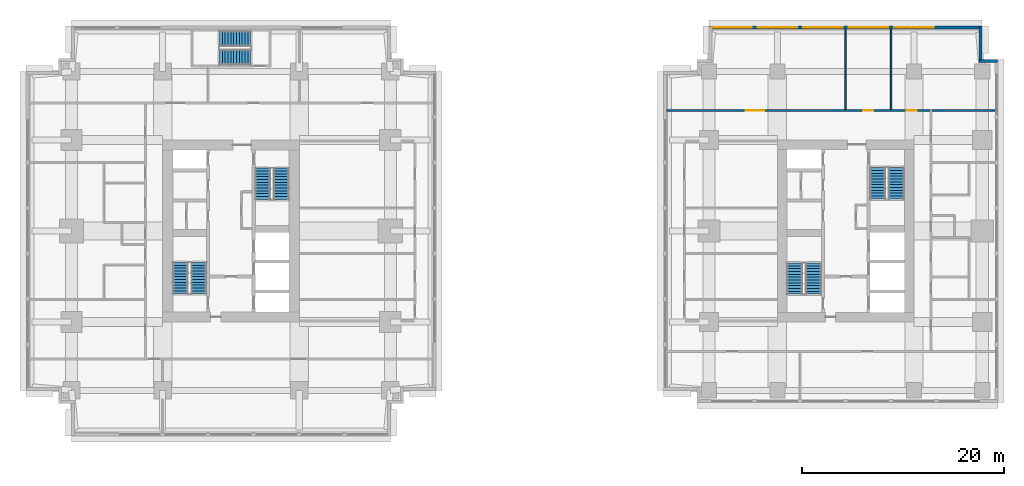
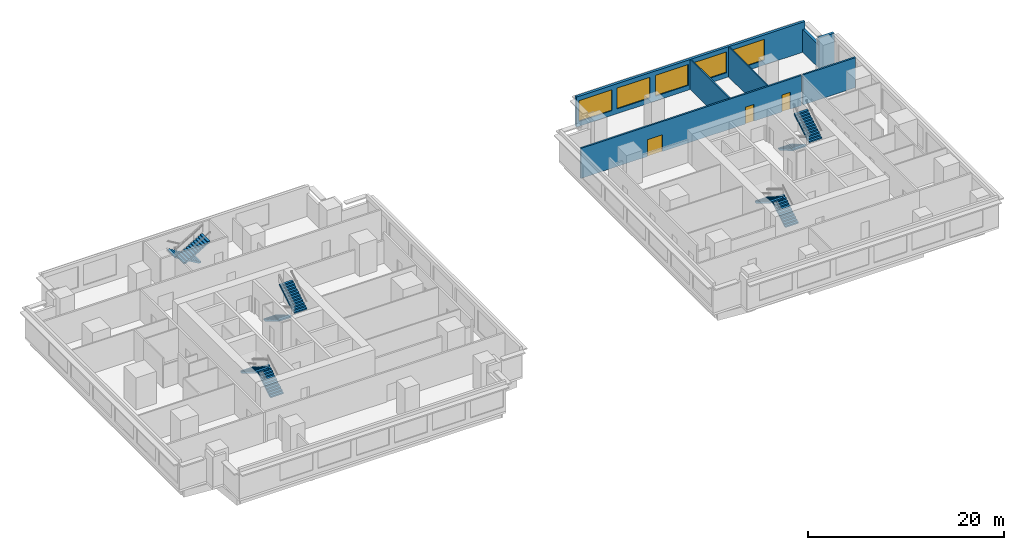
# One storey, part 8 of 10: 10 stair flights, 7 walls, 5 windows, 3 doors, 8 openings, 5 elements without a shape of their own.
"""IFC4 building model written with IfcOpenShell, lengths in metres."""

from ifc_helpers import new_model, si_unit, direction, frame, frame_2d, origin, place, context, subcontext, project, spatial, polyline, rectangle, outline, extrude, material, layer, layer_set, type_object, element, fill, aggregate, save


model = new_model("IFC4")

# Units and contexts
model_context = context("Model", 3, precision=1e-05, world=origin(), true_north=direction((0.0, 1.0)))
body_context = subcontext(model_context, "Body", "Model", "MODEL_VIEW")
ifc_project = project(units=[si_unit("LENGTHUNIT", "METRE"), si_unit("AREAUNIT", "SQUARE_METRE"), si_unit("VOLUMEUNIT", "CUBIC_METRE"), si_unit("PLANEANGLEUNIT", "RADIAN"), si_unit("MASSUNIT", "GRAM", prefix="KILO")], contexts=[model_context])

# Site, building, storey
site_placement = place(None, origin())
site = spatial("IfcSite", under=ifc_project, at=site_placement, CompositionType="ELEMENT")
building_placement = place(site_placement, origin())
building = spatial("IfcBuilding", under=site, at=building_placement, Name="Namib Vertical Campus", CompositionType="ELEMENT")
storey_placement = place(building_placement, frame((0.0, 0.0, 149.0)))
storey = spatial("IfcBuildingStorey", under=building, at=storey_placement, Name="L35", CompositionType="ELEMENT", Elevation=149.0)

# Wall, openings, doors
ifc_material_1 = material(Name="Concrete masonry", Category="masonry")
ifc_layer_1 = layer(ifc_material_1, 0.199951171875)
ifc_layer_set_1 = layer_set([ifc_layer_1], Name="Corridor wall 200")
wall_type_1 = type_object("IfcWallType", Name="Corridor wall 200", PredefinedType="SOLIDWALL", material=ifc_layer_set_1)
wall_1_placement = place(storey_placement, frame((89.35009765625, 32.14990234375, 0.0), z_axis=(0.0, 0.0, 1.0), x_axis=(-1.0, 0.0, 0.0)))
wall_1 = element("IfcWall", 1, at=wall_1_placement, inside=storey, type_object=wall_type_1, Name="Corridor wall B L35 CN", PredefinedType="SOLIDWALL", context=body_context, shape_type="SweptSolid", body=[
    extrude(rectangle(XDim=26.050048828125, YDim=0.199951171875, at=frame_2d((13.02490234375, 0.0))), origin(), (0.0, 0.0, 1.0), 3.75),
])
opening_1_placement = place(wall_1_placement, frame((16.39990234375, 0.0, 0.0)))
opening_1 = element("IfcOpeningElement", 2, at=opening_1_placement, cuts=wall_1, Name="Opening CD2", PredefinedType="OPENING", context=body_context, shape_type="SweptSolid", body=[
    extrude(rectangle(XDim=1.800048828125, YDim=2.10009765625, at=frame_2d((0.89990234375, 1.050048828125))), frame((0.0, 0.10986328125, 0.0), z_axis=(0.0, -1.0, 0.0), x_axis=(1.0, 0.0, 0.0)), (0.0, 0.0, 1.0), 0.219970703125),
])
opening_2_placement = place(wall_1_placement, frame((5.60009765625, 0.0, 0.0)))
opening_2 = element("IfcOpeningElement", 3, at=opening_2_placement, cuts=wall_1, Name="Opening CD1", PredefinedType="OPENING", context=body_context, shape_type="SweptSolid", body=[
    extrude(rectangle(XDim=1.0, YDim=2.10009765625, at=frame_2d((0.5, 1.050048828125))), frame((0.0, 0.10986328125, 0.0), z_axis=(0.0, -1.0, 0.0), x_axis=(1.0, 0.0, 0.0)), (0.0, 0.0, 1.0), 0.219970703125),
])
opening_3_placement = place(wall_1_placement, frame((1.324951171875, 0.0, 0.0)))
opening_3 = element("IfcOpeningElement", 4, at=opening_3_placement, cuts=wall_1, Name="Opening CD1", PredefinedType="OPENING", context=body_context, shape_type="SweptSolid", body=[
    extrude(rectangle(XDim=1.0, YDim=2.10009765625, at=frame_2d((0.5, 1.050048828125))), frame((0.0, 0.10986328125, 0.0), z_axis=(0.0, -1.0, 0.0), x_axis=(1.0, 0.0, 0.0)), (0.0, 0.0, 1.0), 0.219970703125),
])
ifc_material_2 = material(Name="Timber fire door leaf", Category="wood")
door_type_1 = type_object("IfcDoorType", Name="Corridor door 1000x2100 20 min", OperationType="SINGLE_SWING_LEFT", PredefinedType="DOOR", material=ifc_material_2)
door_1_placement = place(opening_2_placement, frame((1.0, 0.0, 0.0), z_axis=(0.0, 0.0, 1.0), x_axis=(-1.0, 0.0, 0.0)))
door_1 = element("IfcDoor", 5, at=door_1_placement, inside=storey, type_object=door_type_1, Name="Door CD1 B35-11", OperationType="SINGLE_SWING_RIGHT", OverallHeight=2.10009765625, OverallWidth=1.0, PredefinedType="DOOR", context=body_context, shape_type="SweptSolid", body=[
    extrude(rectangle(XDim=1.0, YDim=2.10009765625, at=frame_2d((0.5, 1.050048828125))), frame((0.0, 0.02490234375, 0.0), z_axis=(0.0, -1.0, 0.0), x_axis=(1.0, 0.0, 0.0)), (0.0, 0.0, 1.0), 0.050048828125),
])
fill(opening_2, door_1)
door_2_placement = place(opening_3_placement, frame((1.0, 0.0, 0.0), z_axis=(0.0, 0.0, 1.0), x_axis=(-1.0, 0.0, 0.0)))
door_2 = element("IfcDoor", 6, at=door_2_placement, inside=storey, type_object=door_type_1, Name="Door CD1 B35-12", OperationType="SINGLE_SWING_LEFT", OverallHeight=2.10009765625, OverallWidth=1.0, PredefinedType="DOOR", context=body_context, shape_type="SweptSolid", body=[
    extrude(rectangle(XDim=1.0, YDim=2.10009765625, at=frame_2d((0.5, 1.050048828125))), frame((0.0, 0.02490234375, 0.0), z_axis=(0.0, -1.0, 0.0), x_axis=(1.0, 0.0, 0.0)), (0.0, 0.0, 1.0), 0.050048828125),
])
fill(opening_3, door_2)
ifc_material_3 = material(Name="Timber fire door leaf", Category="wood")
door_type_2 = type_object("IfcDoorType", Name="Corridor door double 1800x2100 20 min", OperationType="DOUBLE_DOOR_SINGLE_SWING", PredefinedType="DOOR", material=ifc_material_3)
door_3_placement = place(opening_1_placement, frame((1.800048828125, 0.0, 0.0), z_axis=(0.0, 0.0, 1.0), x_axis=(-1.0, 0.0, 0.0)))
door_3 = element("IfcDoor", 7, at=door_3_placement, inside=storey, type_object=door_type_2, Name="Door CD2 B35-10", OperationType="DOUBLE_DOOR_SINGLE_SWING", OverallHeight=2.10009765625, OverallWidth=1.800048828125, PredefinedType="DOOR", context=body_context, shape_type="SweptSolid", body=[
    extrude(rectangle(XDim=1.800048828125, YDim=2.10009765625, at=frame_2d((0.89990234375, 1.050048828125))), frame((0.0, 0.02490234375, 0.0), z_axis=(0.0, -1.0, 0.0), x_axis=(1.0, 0.0, 0.0)), (0.0, 0.0, 1.0), 0.050048828125),
])
fill(opening_1, door_3)

# Walls
wall_2_placement = place(storey_placement, frame((89.550048828125, 32.14990234375, 0.0), z_axis=(0.0, 0.0, 1.0), x_axis=(1.0, 0.0, 0.0)))
element("IfcWall", 8, at=wall_2_placement, inside=storey, type_object=wall_type_1, Name="Partition B L35 BNE", PredefinedType="SOLIDWALL", context=body_context, shape_type="SweptSolid", body=[
    extrude(rectangle(XDim=6.199951171875, YDim=0.199951171875, at=frame_2d((3.10009765625, 0.0))), origin(), (0.0, 0.0, 1.0), 3.75),
])
ifc_material_4 = material(Name="Concrete C40/50", Category="concrete")
ifc_layer_2 = layer(ifc_material_4, 0.300048828125)
ifc_layer_set_2 = layer_set([ifc_layer_2], Name="Concrete C40/50")
wall_type_2 = type_object("IfcWallType", Name="External wall 300 board-marked concrete", PredefinedType="STANDARD", material=ifc_layer_set_2)
wall_3_placement = place(storey_placement, frame((96.030029296875, 37.050048828125, 0.0), z_axis=(0.0, 0.0, 1.0), x_axis=(-1.0, 0.0, 0.0)))
element("IfcWall", 9, at=wall_3_placement, inside=storey, type_object=wall_type_2, Name="External wall L35 F05", PredefinedType="STANDARD", context=body_context, shape_type="SweptSolid", body=[
    extrude(rectangle(XDim=1.81005859375, YDim=0.300048828125, at=frame_2d((0.905029296875, 0.0))), origin(), (0.0, 0.0, 1.0), 3.75),
])
wall_4_placement = place(storey_placement, frame((94.35009765625, 36.919921875, 0.0), z_axis=(0.0, 0.0, 1.0), x_axis=(0.0, 1.0, 0.0)))
element("IfcWall", 10, at=wall_4_placement, inside=storey, type_object=wall_type_2, Name="External wall L35 F06", PredefinedType="STANDARD", context=body_context, shape_type="SweptSolid", body=[
    extrude(rectangle(XDim=3.56005859375, YDim=0.300048828125, at=frame_2d((1.780029296875, 0.0))), origin(), (0.0, 0.0, 1.0), 2.85009765625),
])

# Wall, openings, windows
wall_5_placement = place(storey_placement, frame((94.47998046875, 40.35009765625, 0.0), z_axis=(0.0, 0.0, 1.0), x_axis=(-1.0, 0.0, 0.0)))
wall_5 = element("IfcWall", 11, at=wall_5_placement, inside=storey, type_object=wall_type_2, Name="External wall L35 F07", PredefinedType="STANDARD", context=body_context, shape_type="SweptSolid", body=[
    extrude(rectangle(XDim=26.9599609375, YDim=0.300048828125, at=frame_2d((13.47998046875, 0.0))), origin(), (0.0, 0.0, 1.0), 3.75),
])
opening_4_placement = place(wall_5_placement, frame((22.780029296875, 0.0, 0.60009765625)))
opening_4 = element("IfcOpeningElement", 12, at=opening_4_placement, cuts=wall_5, Name="Opening W2", PredefinedType="OPENING", context=body_context, shape_type="SweptSolid", body=[
    extrude(rectangle(XDim=3.89990234375, YDim=2.60009765625, at=frame_2d((1.949951171875, 1.300048828125))), frame((0.0, 0.159912109375, 0.0), z_axis=(0.0, -1.0, 0.0), x_axis=(1.0, 0.0, 0.0)), (0.0, 0.0, 1.0), 0.320068359375),
])
opening_5_placement = place(wall_5_placement, frame((18.280029296875, 0.0, 0.60009765625)))
opening_5 = element("IfcOpeningElement", 13, at=opening_5_placement, cuts=wall_5, Name="Opening W2", PredefinedType="OPENING", context=body_context, shape_type="SweptSolid", body=[
    extrude(rectangle(XDim=3.89990234375, YDim=2.60009765625, at=frame_2d((1.949951171875, 1.300048828125))), frame((0.0, 0.159912109375, 0.0), z_axis=(0.0, -1.0, 0.0), x_axis=(1.0, 0.0, 0.0)), (0.0, 0.0, 1.0), 0.320068359375),
])
opening_6_placement = place(wall_5_placement, frame((13.780029296875, 0.0, 0.60009765625)))
opening_6 = element("IfcOpeningElement", 14, at=opening_6_placement, cuts=wall_5, Name="Opening W2", PredefinedType="OPENING", context=body_context, shape_type="SweptSolid", body=[
    extrude(rectangle(XDim=3.89990234375, YDim=2.60009765625, at=frame_2d((1.949951171875, 1.300048828125))), frame((0.0, 0.159912109375, 0.0), z_axis=(0.0, -1.0, 0.0), x_axis=(1.0, 0.0, 0.0)), (0.0, 0.0, 1.0), 0.320068359375),
])
opening_7_placement = place(wall_5_placement, frame((9.280029296875, 0.0, 0.60009765625)))
opening_7 = element("IfcOpeningElement", 15, at=opening_7_placement, cuts=wall_5, Name="Opening W2", PredefinedType="OPENING", context=body_context, shape_type="SweptSolid", body=[
    extrude(rectangle(XDim=3.89990234375, YDim=2.60009765625, at=frame_2d((1.949951171875, 1.300048828125))), frame((0.0, 0.159912109375, 0.0), z_axis=(0.0, -1.0, 0.0), x_axis=(1.0, 0.0, 0.0)), (0.0, 0.0, 1.0), 0.320068359375),
])
opening_8_placement = place(wall_5_placement, frame((4.780029296875, 0.0, 0.60009765625)))
opening_8 = element("IfcOpeningElement", 16, at=opening_8_placement, cuts=wall_5, Name="Opening W2", PredefinedType="OPENING", context=body_context, shape_type="SweptSolid", body=[
    extrude(rectangle(XDim=3.89990234375, YDim=2.60009765625, at=frame_2d((1.949951171875, 1.300048828125))), frame((0.0, 0.159912109375, 0.0), z_axis=(0.0, -1.0, 0.0), x_axis=(1.0, 0.0, 0.0)), (0.0, 0.0, 1.0), 0.320068359375),
])
ifc_material_5 = material(Name="Dark tinted glass in black aluminium frame", Category="aluminium")
window_type = type_object("IfcWindowType", Name="Ribbon window 3900x2600", PartitioningType="SINGLE_PANEL", PredefinedType="WINDOW", material=ifc_material_5)
window_1_placement = place(opening_4_placement, origin())
window_1 = element("IfcWindow", 17, at=window_1_placement, inside=storey, type_object=window_type, Name="Window W2 L35 F07-1", OverallHeight=2.60009765625, OverallWidth=3.89990234375, PartitioningType="SINGLE_PANEL", PredefinedType="WINDOW", context=body_context, shape_type="SweptSolid", body=[
    extrude(rectangle(XDim=3.89990234375, YDim=2.60009765625, at=frame_2d((1.949951171875, 1.300048828125))), frame((0.0, 0.030029296875, 0.0), z_axis=(0.0, -1.0, 0.0), x_axis=(1.0, 0.0, 0.0)), (0.0, 0.0, 1.0), 0.06005859375),
])
fill(opening_4, window_1)
window_2_placement = place(opening_5_placement, origin())
window_2 = element("IfcWindow", 18, at=window_2_placement, inside=storey, type_object=window_type, Name="Window W2 L35 F07-2", OverallHeight=2.60009765625, OverallWidth=3.89990234375, PartitioningType="SINGLE_PANEL", PredefinedType="WINDOW", context=body_context, shape_type="SweptSolid", body=[
    extrude(rectangle(XDim=3.89990234375, YDim=2.60009765625, at=frame_2d((1.949951171875, 1.300048828125))), frame((0.0, 0.030029296875, 0.0), z_axis=(0.0, -1.0, 0.0), x_axis=(1.0, 0.0, 0.0)), (0.0, 0.0, 1.0), 0.06005859375),
])
fill(opening_5, window_2)
window_3_placement = place(opening_6_placement, origin())
window_3 = element("IfcWindow", 19, at=window_3_placement, inside=storey, type_object=window_type, Name="Window W2 L35 F07-3", OverallHeight=2.60009765625, OverallWidth=3.89990234375, PartitioningType="SINGLE_PANEL", PredefinedType="WINDOW", context=body_context, shape_type="SweptSolid", body=[
    extrude(rectangle(XDim=3.89990234375, YDim=2.60009765625, at=frame_2d((1.949951171875, 1.300048828125))), frame((0.0, 0.030029296875, 0.0), z_axis=(0.0, -1.0, 0.0), x_axis=(1.0, 0.0, 0.0)), (0.0, 0.0, 1.0), 0.06005859375),
])
fill(opening_6, window_3)
window_4_placement = place(opening_7_placement, origin())
window_4 = element("IfcWindow", 20, at=window_4_placement, inside=storey, type_object=window_type, Name="Window W2 L35 F07-4", OverallHeight=2.60009765625, OverallWidth=3.89990234375, PartitioningType="SINGLE_PANEL", PredefinedType="WINDOW", context=body_context, shape_type="SweptSolid", body=[
    extrude(rectangle(XDim=3.89990234375, YDim=2.60009765625, at=frame_2d((1.949951171875, 1.300048828125))), frame((0.0, 0.030029296875, 0.0), z_axis=(0.0, -1.0, 0.0), x_axis=(1.0, 0.0, 0.0)), (0.0, 0.0, 1.0), 0.06005859375),
])
fill(opening_7, window_4)
window_5_placement = place(opening_8_placement, origin())
window_5 = element("IfcWindow", 21, at=window_5_placement, inside=storey, type_object=window_type, Name="Window W2 L35 F07-5", OverallHeight=2.60009765625, OverallWidth=3.89990234375, PartitioningType="SINGLE_PANEL", PredefinedType="WINDOW", context=body_context, shape_type="SweptSolid", body=[
    extrude(rectangle(XDim=3.89990234375, YDim=2.60009765625, at=frame_2d((1.949951171875, 1.300048828125))), frame((0.0, 0.030029296875, 0.0), z_axis=(0.0, -1.0, 0.0), x_axis=(1.0, 0.0, 0.0)), (0.0, 0.0, 1.0), 0.06005859375),
])
fill(opening_8, window_5)

# Walls
ifc_material_6 = material(Name="Gypsum board on steel studs", Category="steel")
ifc_layer_3 = layer(ifc_material_6, 0.14990234375)
ifc_layer_set_3 = layer_set([ifc_layer_3], Name="Gypsum board on steel studs")
wall_type_3 = type_object("IfcWallType", Name="Partition 150", PredefinedType="PARTITIONING", material=ifc_layer_set_3)
for number, where, z_axis, x_axis, name in (
    (22, (81.0, 32.25, 0.0), (0.0, 0.0, 1.0), (0.0, 1.0, 0.0), "Partition B L35 PN1"),
    (23, (85.5, 32.25, 0.0), (0.0, 0.0, 1.0), (0.0, 1.0, 0.0), "Partition B L35 PN2"),
):
    element("IfcWall", number, at=place(storey_placement, frame(where, z_axis=z_axis, x_axis=x_axis)), inside=storey, type_object=wall_type_3, Name=name, PredefinedType="PARTITIONING", context=body_context, shape_type="SweptSolid", body=[
        extrude(rectangle(XDim=7.949951171875, YDim=0.14990234375, at=frame_2d((3.97509765625, 0.0))), origin(), (0.0, 0.0, 1.0), 3.75),
    ])

# Stair, stair flights
ifc_material_7 = material(Name="Concrete C40/50 precast", Category="concrete")
stair_type_1 = type_object("IfcStairType", Name="Exit stair 4000 rise 24 risers 3350 wide", PredefinedType="HALF_TURN_STAIR", material=ifc_material_7)
stair_1_placement = place(storey_placement, origin())
stair_1 = element("IfcStair", 24, at=stair_1_placement, inside=storey, type_object=stair_type_1, Name="Exit stair A-S1 L35", PredefinedType="HALF_TURN_STAIR")
ifc_material_8 = material(Name="Concrete C40/50 precast", Category="concrete")
stair_flight_type_1 = type_object("IfcStairFlightType", Name="Stair flight 12 risers 167 1525 wide", PredefinedType="STRAIGHT", material=ifc_material_8)
stair_flight_1_placement = place(storey_placement, frame((17.08740234375, 14.050048828125, 0.0), z_axis=(0.0, 0.0, 1.0), x_axis=(0.0, 1.0, 0.0)))
stair_flight_1 = element("IfcStairFlight", 25, at=stair_flight_1_placement, type_object=stair_flight_type_1, Name="A-S1 flight 1", NumberOfRisers=12, NumberOfTreads=11, PredefinedType="STRAIGHT", RiserHeight=0.166666667, TreadLength=0.28, context=body_context, shape_type="SweptSolid", body=[
    extrude(outline(polyline([(0.0, 0.0), (0.0, 0.166748046875), (0.280029296875, 0.166748046875), (0.280029296875, 0.333251953125), (0.56005859375, 0.333251953125), (0.56005859375, 0.5), (0.840087890625, 0.5), (0.840087890625, 0.666748046875), (1.1201171875, 0.666748046875), (1.1201171875, 0.833251953125), (1.39990234375, 0.833251953125), (1.39990234375, 1.0), (1.679931640625, 1.0), (1.679931640625, 1.166748046875), (1.9599609375, 1.166748046875), (1.9599609375, 1.333251953125), (2.239990234375, 1.333251953125), (2.239990234375, 1.5), (2.52001953125, 1.5), (2.52001953125, 1.666748046875), (2.800048828125, 1.666748046875), (2.800048828125, 1.833251953125), (3.080078125, 1.833251953125), (3.080078125, 2.0), (3.080078125, 1.658935546875), (0.29296875, 0.0), (0.0, 0.0)])), frame((0.0, 0.762451171875, 0.0), z_axis=(0.0, -1.0, 0.0), x_axis=(1.0, 0.0, 0.0)), (0.0, 0.0, 1.0), 1.52490234375),
])
stair_flight_2_placement = place(storey_placement, frame((15.262451171875, 17.1298828125, 2.0), z_axis=(0.0, 0.0, 1.0), x_axis=(0.0, -1.0, 0.0)))
stair_flight_2 = element("IfcStairFlight", 26, at=stair_flight_2_placement, type_object=stair_flight_type_1, Name="A-S1 flight 2", NumberOfRisers=12, NumberOfTreads=11, PredefinedType="STRAIGHT", RiserHeight=0.166666667, TreadLength=0.28, context=body_context, shape_type="SweptSolid", body=[
    extrude(outline(polyline([(0.0, 0.0), (0.0, 0.166748046875), (0.280029296875, 0.166748046875), (0.280029296875, 0.333251953125), (0.56005859375, 0.333251953125), (0.56005859375, 0.5), (0.840087890625, 0.5), (0.840087890625, 0.666748046875), (1.1201171875, 0.666748046875), (1.1201171875, 0.833251953125), (1.39990234375, 0.833251953125), (1.39990234375, 1.0), (1.679931640625, 1.0), (1.679931640625, 1.166748046875), (1.9599609375, 1.166748046875), (1.9599609375, 1.333251953125), (2.239990234375, 1.333251953125), (2.239990234375, 1.5), (2.52001953125, 1.5), (2.52001953125, 1.666748046875), (2.800048828125, 1.666748046875), (2.800048828125, 1.833251953125), (3.080078125, 1.833251953125), (3.080078125, 2.0), (3.080078125, 1.658935546875), (0.29296875, 0.0), (0.0, 0.0)])), frame((0.0, 0.762451171875, 0.0), z_axis=(0.0, -1.0, 0.0), x_axis=(1.0, 0.0, 0.0)), (0.0, 0.0, 1.0), 1.52490234375),
])
aggregate(stair_1, [stair_flight_1, stair_flight_2])

stair_2_placement = place(storey_placement, origin())
stair_2 = element("IfcStair", 27, at=stair_2_placement, inside=storey, type_object=stair_type_1, Name="Exit stair A-S2 L35", PredefinedType="HALF_TURN_STAIR")
stair_flight_3_placement = place(storey_placement, frame((23.41259765625, 26.449951171875, 0.0), z_axis=(0.0, 0.0, 1.0), x_axis=(0.0, -1.0, 0.0)))
stair_flight_3 = element("IfcStairFlight", 28, at=stair_flight_3_placement, type_object=stair_flight_type_1, Name="A-S2 flight 1", NumberOfRisers=12, NumberOfTreads=11, PredefinedType="STRAIGHT", RiserHeight=0.166666667, TreadLength=0.28, context=body_context, shape_type="SweptSolid", body=[
    extrude(outline(polyline([(0.0, 0.0), (0.0, 0.166748046875), (0.280029296875, 0.166748046875), (0.280029296875, 0.333251953125), (0.56005859375, 0.333251953125), (0.56005859375, 0.5), (0.840087890625, 0.5), (0.840087890625, 0.666748046875), (1.1201171875, 0.666748046875), (1.1201171875, 0.833251953125), (1.39990234375, 0.833251953125), (1.39990234375, 1.0), (1.679931640625, 1.0), (1.679931640625, 1.166748046875), (1.9599609375, 1.166748046875), (1.9599609375, 1.333251953125), (2.239990234375, 1.333251953125), (2.239990234375, 1.5), (2.52001953125, 1.5), (2.52001953125, 1.666748046875), (2.800048828125, 1.666748046875), (2.800048828125, 1.833251953125), (3.080078125, 1.833251953125), (3.080078125, 2.0), (3.080078125, 1.658935546875), (0.29296875, 0.0), (0.0, 0.0)])), frame((0.0, 0.762451171875, 0.0), z_axis=(0.0, -1.0, 0.0), x_axis=(1.0, 0.0, 0.0)), (0.0, 0.0, 1.0), 1.52490234375),
])
stair_flight_4_placement = place(storey_placement, frame((25.237548828125, 23.3701171875, 2.0), z_axis=(0.0, 0.0, 1.0), x_axis=(0.0, 1.0, 0.0)))
stair_flight_4 = element("IfcStairFlight", 29, at=stair_flight_4_placement, type_object=stair_flight_type_1, Name="A-S2 flight 2", NumberOfRisers=12, NumberOfTreads=11, PredefinedType="STRAIGHT", RiserHeight=0.166666667, TreadLength=0.28, context=body_context, shape_type="SweptSolid", body=[
    extrude(outline(polyline([(0.0, 0.0), (0.0, 0.166748046875), (0.280029296875, 0.166748046875), (0.280029296875, 0.333251953125), (0.56005859375, 0.333251953125), (0.56005859375, 0.5), (0.840087890625, 0.5), (0.840087890625, 0.666748046875), (1.1201171875, 0.666748046875), (1.1201171875, 0.833251953125), (1.39990234375, 0.833251953125), (1.39990234375, 1.0), (1.679931640625, 1.0), (1.679931640625, 1.166748046875), (1.9599609375, 1.166748046875), (1.9599609375, 1.333251953125), (2.239990234375, 1.333251953125), (2.239990234375, 1.5), (2.52001953125, 1.5), (2.52001953125, 1.666748046875), (2.800048828125, 1.666748046875), (2.800048828125, 1.833251953125), (3.080078125, 1.833251953125), (3.080078125, 2.0), (3.080078125, 1.658935546875), (0.29296875, 0.0), (0.0, 0.0)])), frame((0.0, 0.762451171875, 0.0), z_axis=(0.0, -1.0, 0.0), x_axis=(1.0, 0.0, 0.0)), (0.0, 0.0, 1.0), 1.52490234375),
])
aggregate(stair_2, [stair_flight_3, stair_flight_4])

stair_3_placement = place(storey_placement, origin())
stair_3 = element("IfcStair", 30, at=stair_3_placement, inside=storey, type_object=stair_type_1, Name="Exit stair A-S3 L35", PredefinedType="HALF_TURN_STAIR")
stair_flight_5_placement = place(storey_placement, frame((22.199951171875, 39.237548828125, 0.0), z_axis=(0.0, 0.0, 1.0), x_axis=(-1.0, 0.0, 0.0)))
stair_flight_5 = element("IfcStairFlight", 31, at=stair_flight_5_placement, type_object=stair_flight_type_1, Name="A-S3 flight 1", NumberOfRisers=12, NumberOfTreads=11, PredefinedType="STRAIGHT", RiserHeight=0.166666667, TreadLength=0.28, context=body_context, shape_type="SweptSolid", body=[
    extrude(outline(polyline([(0.0, 0.0), (0.0, 0.166748046875), (0.280029296875, 0.166748046875), (0.280029296875, 0.333251953125), (0.56005859375, 0.333251953125), (0.56005859375, 0.5), (0.840087890625, 0.5), (0.840087890625, 0.666748046875), (1.1201171875, 0.666748046875), (1.1201171875, 0.833251953125), (1.39990234375, 0.833251953125), (1.39990234375, 1.0), (1.679931640625, 1.0), (1.679931640625, 1.166748046875), (1.9599609375, 1.166748046875), (1.9599609375, 1.333251953125), (2.239990234375, 1.333251953125), (2.239990234375, 1.5), (2.52001953125, 1.5), (2.52001953125, 1.666748046875), (2.800048828125, 1.666748046875), (2.800048828125, 1.833251953125), (3.080078125, 1.833251953125), (3.080078125, 2.0), (3.080078125, 1.658935546875), (0.29296875, 0.0), (0.0, 0.0)])), frame((0.0, 0.762451171875, 0.0), z_axis=(0.0, -1.0, 0.0), x_axis=(1.0, 0.0, 0.0)), (0.0, 0.0, 1.0), 1.52490234375),
])
stair_flight_6_placement = place(storey_placement, frame((19.1201171875, 37.41259765625, 2.0), z_axis=(0.0, 0.0, 1.0), x_axis=(1.0, 0.0, 0.0)))
stair_flight_6 = element("IfcStairFlight", 32, at=stair_flight_6_placement, type_object=stair_flight_type_1, Name="A-S3 flight 2", NumberOfRisers=12, NumberOfTreads=11, PredefinedType="STRAIGHT", RiserHeight=0.166666667, TreadLength=0.28, context=body_context, shape_type="SweptSolid", body=[
    extrude(outline(polyline([(0.0, 0.0), (0.0, 0.166748046875), (0.280029296875, 0.166748046875), (0.280029296875, 0.333251953125), (0.56005859375, 0.333251953125), (0.56005859375, 0.5), (0.840087890625, 0.5), (0.840087890625, 0.666748046875), (1.1201171875, 0.666748046875), (1.1201171875, 0.833251953125), (1.39990234375, 0.833251953125), (1.39990234375, 1.0), (1.679931640625, 1.0), (1.679931640625, 1.166748046875), (1.9599609375, 1.166748046875), (1.9599609375, 1.333251953125), (2.239990234375, 1.333251953125), (2.239990234375, 1.5), (2.52001953125, 1.5), (2.52001953125, 1.666748046875), (2.800048828125, 1.666748046875), (2.800048828125, 1.833251953125), (3.080078125, 1.833251953125), (3.080078125, 2.0), (3.080078125, 1.658935546875), (0.29296875, 0.0), (0.0, 0.0)])), frame((0.0, 0.762451171875, 0.0), z_axis=(0.0, -1.0, 0.0), x_axis=(1.0, 0.0, 0.0)), (0.0, 0.0, 1.0), 1.52490234375),
])
aggregate(stair_3, [stair_flight_5, stair_flight_6])

ifc_material_9 = material(Name="Concrete C40/50 precast", Category="concrete")
stair_type_2 = type_object("IfcStairType", Name="Exit stair 4000 rise 24 risers 3400 wide", PredefinedType="HALF_TURN_STAIR", material=ifc_material_9)
stair_4_placement = place(storey_placement, origin())
stair_4 = element("IfcStair", 33, at=stair_4_placement, inside=storey, type_object=stair_type_2, Name="Exit stair B-S1 L35", PredefinedType="HALF_TURN_STAIR")
ifc_material_10 = material(Name="Concrete C40/50 precast", Category="concrete")
stair_flight_type_2 = type_object("IfcStairFlightType", Name="Stair flight 12 risers 167 1550 wide", PredefinedType="STRAIGHT", material=ifc_material_10)
stair_flight_7_placement = place(storey_placement, frame((77.824951171875, 14.0, 0.0), z_axis=(0.0, 0.0, 1.0), x_axis=(0.0, 1.0, 0.0)))
stair_flight_7 = element("IfcStairFlight", 34, at=stair_flight_7_placement, type_object=stair_flight_type_2, Name="B-S1 flight 1", NumberOfRisers=12, NumberOfTreads=11, PredefinedType="STRAIGHT", RiserHeight=0.166666667, TreadLength=0.28, context=body_context, shape_type="SweptSolid", body=[
    extrude(outline(polyline([(0.0, 0.0), (0.0, 0.166748046875), (0.280029296875, 0.166748046875), (0.280029296875, 0.333251953125), (0.56005859375, 0.333251953125), (0.56005859375, 0.5), (0.840087890625, 0.5), (0.840087890625, 0.666748046875), (1.1201171875, 0.666748046875), (1.1201171875, 0.833251953125), (1.39990234375, 0.833251953125), (1.39990234375, 1.0), (1.679931640625, 1.0), (1.679931640625, 1.166748046875), (1.9599609375, 1.166748046875), (1.9599609375, 1.333251953125), (2.239990234375, 1.333251953125), (2.239990234375, 1.5), (2.52001953125, 1.5), (2.52001953125, 1.666748046875), (2.800048828125, 1.666748046875), (2.800048828125, 1.833251953125), (3.080078125, 1.833251953125), (3.080078125, 2.0), (3.080078125, 1.658935546875), (0.29296875, 0.0), (0.0, 0.0)])), frame((0.0, 0.77490234375, 0.0), z_axis=(0.0, -1.0, 0.0), x_axis=(1.0, 0.0, 0.0)), (0.0, 0.0, 1.0), 1.550048828125),
])
stair_flight_8_placement = place(storey_placement, frame((75.97509765625, 17.080078125, 2.0), z_axis=(0.0, 0.0, 1.0), x_axis=(0.0, -1.0, 0.0)))
stair_flight_8 = element("IfcStairFlight", 35, at=stair_flight_8_placement, type_object=stair_flight_type_2, Name="B-S1 flight 2", NumberOfRisers=12, NumberOfTreads=11, PredefinedType="STRAIGHT", RiserHeight=0.166666667, TreadLength=0.28, context=body_context, shape_type="SweptSolid", body=[
    extrude(outline(polyline([(0.0, 0.0), (0.0, 0.166748046875), (0.280029296875, 0.166748046875), (0.280029296875, 0.333251953125), (0.56005859375, 0.333251953125), (0.56005859375, 0.5), (0.840087890625, 0.5), (0.840087890625, 0.666748046875), (1.1201171875, 0.666748046875), (1.1201171875, 0.833251953125), (1.39990234375, 0.833251953125), (1.39990234375, 1.0), (1.679931640625, 1.0), (1.679931640625, 1.166748046875), (1.9599609375, 1.166748046875), (1.9599609375, 1.333251953125), (2.239990234375, 1.333251953125), (2.239990234375, 1.5), (2.52001953125, 1.5), (2.52001953125, 1.666748046875), (2.800048828125, 1.666748046875), (2.800048828125, 1.833251953125), (3.080078125, 1.833251953125), (3.080078125, 2.0), (3.080078125, 1.658935546875), (0.29296875, 0.0), (0.0, 0.0)])), frame((0.0, 0.77490234375, 0.0), z_axis=(0.0, -1.0, 0.0), x_axis=(1.0, 0.0, 0.0)), (0.0, 0.0, 1.0), 1.550048828125),
])
aggregate(stair_4, [stair_flight_7, stair_flight_8])

stair_5_placement = place(storey_placement, origin())
stair_5 = element("IfcStair", 36, at=stair_5_placement, inside=storey, type_object=stair_type_2, Name="Exit stair B-S2 L35", PredefinedType="HALF_TURN_STAIR")
stair_flight_9_placement = place(storey_placement, frame((84.175048828125, 26.5, 0.0), z_axis=(0.0, 0.0, 1.0), x_axis=(0.0, -1.0, 0.0)))
stair_flight_9 = element("IfcStairFlight", 37, at=stair_flight_9_placement, type_object=stair_flight_type_2, Name="B-S2 flight 1", NumberOfRisers=12, NumberOfTreads=11, PredefinedType="STRAIGHT", RiserHeight=0.166666667, TreadLength=0.28, context=body_context, shape_type="SweptSolid", body=[
    extrude(outline(polyline([(0.0, 0.0), (0.0, 0.166748046875), (0.280029296875, 0.166748046875), (0.280029296875, 0.333251953125), (0.56005859375, 0.333251953125), (0.56005859375, 0.5), (0.840087890625, 0.5), (0.840087890625, 0.666748046875), (1.1201171875, 0.666748046875), (1.1201171875, 0.833251953125), (1.39990234375, 0.833251953125), (1.39990234375, 1.0), (1.679931640625, 1.0), (1.679931640625, 1.166748046875), (1.9599609375, 1.166748046875), (1.9599609375, 1.333251953125), (2.239990234375, 1.333251953125), (2.239990234375, 1.5), (2.52001953125, 1.5), (2.52001953125, 1.666748046875), (2.800048828125, 1.666748046875), (2.800048828125, 1.833251953125), (3.080078125, 1.833251953125), (3.080078125, 2.0), (3.080078125, 1.658935546875), (0.29296875, 0.0), (0.0, 0.0)])), frame((0.0, 0.77490234375, 0.0), z_axis=(0.0, -1.0, 0.0), x_axis=(1.0, 0.0, 0.0)), (0.0, 0.0, 1.0), 1.550048828125),
])
stair_flight_10_placement = place(storey_placement, frame((86.02490234375, 23.419921875, 2.0), z_axis=(0.0, 0.0, 1.0), x_axis=(0.0, 1.0, 0.0)))
stair_flight_10 = element("IfcStairFlight", 38, at=stair_flight_10_placement, type_object=stair_flight_type_2, Name="B-S2 flight 2", NumberOfRisers=12, NumberOfTreads=11, PredefinedType="STRAIGHT", RiserHeight=0.166666667, TreadLength=0.28, context=body_context, shape_type="SweptSolid", body=[
    extrude(outline(polyline([(0.0, 0.0), (0.0, 0.166748046875), (0.280029296875, 0.166748046875), (0.280029296875, 0.333251953125), (0.56005859375, 0.333251953125), (0.56005859375, 0.5), (0.840087890625, 0.5), (0.840087890625, 0.666748046875), (1.1201171875, 0.666748046875), (1.1201171875, 0.833251953125), (1.39990234375, 0.833251953125), (1.39990234375, 1.0), (1.679931640625, 1.0), (1.679931640625, 1.166748046875), (1.9599609375, 1.166748046875), (1.9599609375, 1.333251953125), (2.239990234375, 1.333251953125), (2.239990234375, 1.5), (2.52001953125, 1.5), (2.52001953125, 1.666748046875), (2.800048828125, 1.666748046875), (2.800048828125, 1.833251953125), (3.080078125, 1.833251953125), (3.080078125, 2.0), (3.080078125, 1.658935546875), (0.29296875, 0.0), (0.0, 0.0)])), frame((0.0, 0.77490234375, 0.0), z_axis=(0.0, -1.0, 0.0), x_axis=(1.0, 0.0, 0.0)), (0.0, 0.0, 1.0), 1.550048828125),
])
aggregate(stair_5, [stair_flight_9, stair_flight_10])

save(model, "model.ifc")
